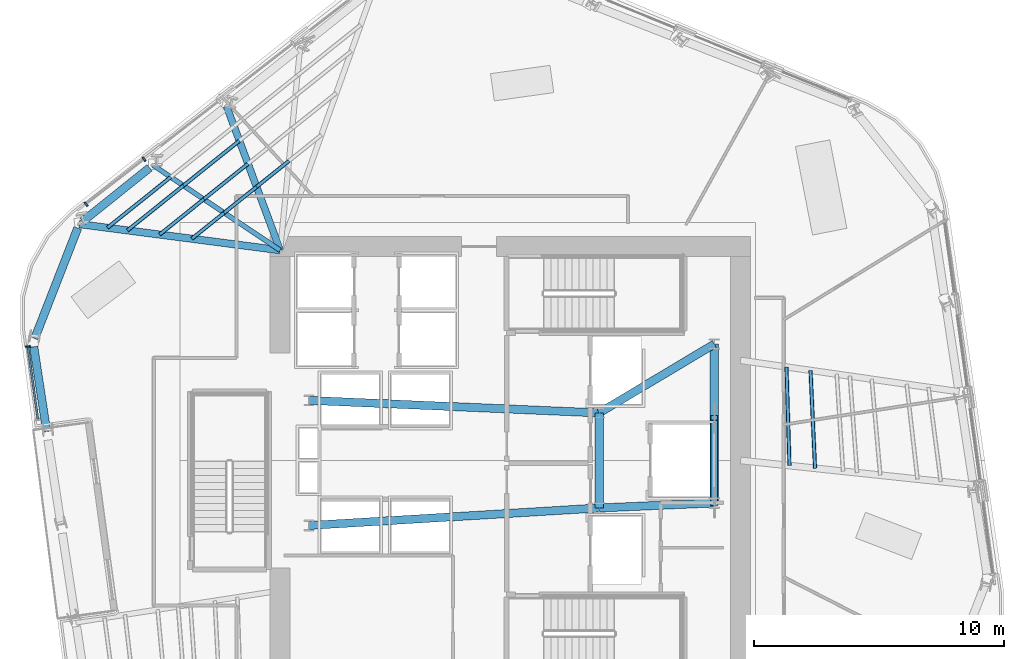
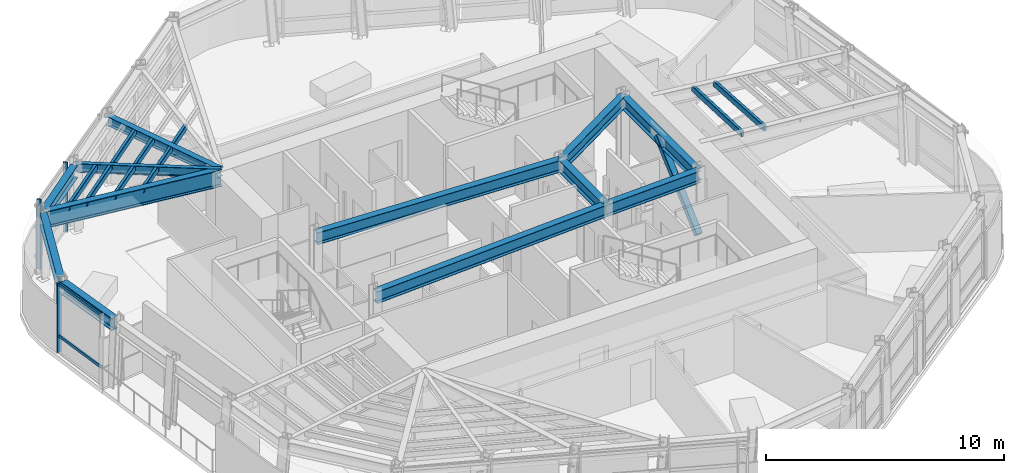
# One storey, part 4 of 15: 16 members, 12 beams, 2 elements without a shape of their own.
"""IFC4 building model written with IfcOpenShell, lengths in metres."""

from ifc_helpers import new_model, si_unit, direction, frame, origin, origin_2d, place, context, subcontext, project, spatial, rectangle, hollow_rectangle, i_section, extrude, material, layer, layer_set, material_profile, profile_set, type_object, element, aggregate, save


model = new_model("IFC4")

# Units and contexts
model_context = context("Model", 3, precision=1e-05, world=origin(), true_north=direction((0.0, 1.0)))
body_context = subcontext(model_context, "Body", "Model", "MODEL_VIEW")
ifc_project = project(units=[si_unit("LENGTHUNIT", "METRE"), si_unit("AREAUNIT", "SQUARE_METRE"), si_unit("VOLUMEUNIT", "CUBIC_METRE"), si_unit("PLANEANGLEUNIT", "RADIAN"), si_unit("MASSUNIT", "GRAM", prefix="KILO")], contexts=[model_context])

# Site, building, storey
site_placement = place(None, origin())
site = spatial("IfcSite", under=ifc_project, at=site_placement, CompositionType="ELEMENT")
building_placement = place(site_placement, origin())
building = spatial("IfcBuilding", under=site, at=building_placement, Name="Valkerne Bourse Tower", CompositionType="ELEMENT")
storey_placement = place(building_placement, frame((0.0, 0.0, 185.60009765625)))
storey = spatial("IfcBuildingStorey", under=building, at=storey_placement, Name="L47", CompositionType="ELEMENT", Elevation=185.60009765625)

# Beams
ifc_material_1 = material(Name="Steel ASTM A992", Category="steel")
ifc_material_profile_1 = material_profile(ifc_material_1, i_section(OverallWidth=0.1904296875, OverallDepth=0.457275390625, WebThickness=0.009033203125, FlangeThickness=0.014404296875, FilletRadius=0.01513671875, at=origin_2d()), Name="W18X50")
ifc_profile_set_1 = profile_set([ifc_material_profile_1], Name="Steel ASTM A992")
beam_type_1 = type_object("IfcBeamType", Name="BM-W18X50", PredefinedType="JOIST", material=ifc_profile_set_1)
beam_1_placement = place(storey_placement, frame((32.51318359375, 38.8017578125, 3.351318359375), z_axis=(0.831251534202, -0.555896471375, 0.0), x_axis=(0.555896471375, 0.831251534202, 0.0)))
element("IfcBeam", 1, at=beam_1_placement, inside=storey, type_object=beam_type_1, Name="L47 Radial Composite Floor Beam 08", PredefinedType="JOIST", context=body_context, shape_type="SweptSolid", body=[
    extrude(i_section(OverallWidth=0.1904296875, OverallDepth=0.457275390625, WebThickness=0.009033203125, FlangeThickness=0.014404296875, FilletRadius=0.01513671875, at=origin_2d()), origin(), (0.0, 0.0, 1.0), 6.11962890625),
])
ifc_material_profile_2 = material_profile(ifc_material_1, i_section(OverallWidth=0.279296875, OverallDepth=0.46240234375, WebThickness=0.0107421875, FlangeThickness=0.017333984375, FilletRadius=0.017822265625, at=origin_2d()), Name="W18X76")
ifc_profile_set_2 = profile_set([ifc_material_profile_2], Name="Steel ASTM A992")
beam_type_2 = type_object("IfcBeamType", Name="BM-W18X76", PredefinedType="BEAM", material=ifc_profile_set_2)
beam_2_placement = place(storey_placement, frame((35.4560546875, 41.159423828125, 3.3486328125), z_axis=(0.348871663273, -0.9371705088, 0.0), x_axis=(0.9371705088, 0.348871663273, 0.0)))
element("IfcBeam", 2, at=beam_2_placement, inside=storey, type_object=beam_type_2, Name="L47 Radial Composite Floor Beam 07", PredefinedType="BEAM", context=body_context, shape_type="SweptSolid", body=[
    extrude(i_section(OverallWidth=0.279296875, OverallDepth=0.46240234375, WebThickness=0.0107421875, FlangeThickness=0.017333984375, FilletRadius=0.017822265625, at=origin_2d()), origin(), (0.0, 0.0, 1.0), 6.145751953125),
])
ifc_material_profile_3 = material_profile(ifc_material_1, i_section(OverallWidth=0.3251953125, OverallDepth=0.612060546875, WebThickness=0.0126953125, FlangeThickness=0.01904296875, FilletRadius=0.020263671875, at=origin_2d()), Name="W24X104")
ifc_profile_set_3 = profile_set([ifc_material_profile_3], Name="Steel ASTM A992")
beam_type_3 = type_object("IfcBeamType", Name="BM-W24X104", PredefinedType="BEAM", material=ifc_profile_set_3)
beam_3_placement = place(storey_placement, frame((50.35009765625, 25.10009765625, 3.27392578125), z_axis=(0.0, 1.0, 0.0), x_axis=(-1.0, 0.0, 0.0)))
element("IfcBeam", 3, at=beam_3_placement, inside=storey, type_object=beam_type_3, Name="L47 Core Frame Girder CG-CE", PredefinedType="BEAM", context=body_context, shape_type="SweptSolid", body=[
    extrude(i_section(OverallWidth=0.3251953125, OverallDepth=0.612060546875, WebThickness=0.0126953125, FlangeThickness=0.01904296875, FilletRadius=0.020263671875, at=origin_2d()), origin(), (0.0, 0.0, 1.0), 3.7998046875),
])
beam_4_placement = place(storey_placement, frame((50.35009765625, 25.10009765625, 3.27392578125), z_axis=(0.999056558506, 0.043428019819, 0.0), x_axis=(-0.043428019819, 0.999056558506, 0.0)))
element("IfcBeam", 4, at=beam_4_placement, inside=storey, type_object=beam_type_3, Name="L47 Core Frame Girder CG-SE", PredefinedType="BEAM", context=body_context, shape_type="SweptSolid", body=[
    extrude(i_section(OverallWidth=0.3251953125, OverallDepth=0.612060546875, WebThickness=0.0126953125, FlangeThickness=0.01904296875, FilletRadius=0.020263671875, at=origin_2d()), origin(), (0.0, 0.0, 1.0), 4.604248046875),
])
beam_5_placement = place(storey_placement, frame((50.35009765625, 28.89990234375, 3.27392578125), z_axis=(0.858307823492, 0.513135148019, 0.0), x_axis=(-0.513135148019, 0.858307823492, 0.0)))
element("IfcBeam", 5, at=beam_5_placement, inside=storey, type_object=beam_type_3, Name="L47 Core Frame Girder CG-NE", PredefinedType="BEAM", context=body_context, shape_type="SweptSolid", body=[
    extrude(i_section(OverallWidth=0.3251953125, OverallDepth=0.612060546875, WebThickness=0.0126953125, FlangeThickness=0.01904296875, FilletRadius=0.020263671875, at=origin_2d()), origin(), (0.0, 0.0, 1.0), 5.359130859375),
])
beam_6_placement = place(storey_placement, frame((54.949951171875, 25.300048828125, 3.27392578125), z_axis=(0.0, 1.0, 0.0), x_axis=(-1.0, 0.0, 0.0)))
element("IfcBeam", 6, at=beam_6_placement, inside=storey, type_object=beam_type_3, Name="L47 Core Frame Girder CG-EE", PredefinedType="BEAM", context=body_context, shape_type="SweptSolid", body=[
    extrude(i_section(OverallWidth=0.3251953125, OverallDepth=0.612060546875, WebThickness=0.0126953125, FlangeThickness=0.01904296875, FilletRadius=0.020263671875, at=origin_2d()), origin(), (0.0, 0.0, 1.0), 6.349853515625),
])
beam_7_placement = place(storey_placement, frame((38.75, 24.39990234375, 3.27392578125), z_axis=(0.998183228389, 0.060251494276, 0.0), x_axis=(-0.060251494276, 0.998183228389, 0.0)))
element("IfcBeam", 7, at=beam_7_placement, inside=storey, type_object=beam_type_3, Name="L47 Core Frame Girder CG-SW", PredefinedType="BEAM", context=body_context, shape_type="SweptSolid", body=[
    extrude(i_section(OverallWidth=0.3251953125, OverallDepth=0.612060546875, WebThickness=0.0126953125, FlangeThickness=0.01904296875, FilletRadius=0.020263671875, at=origin_2d()), origin(), (0.0, 0.0, 1.0), 11.62109375),
])
beam_8_placement = place(storey_placement, frame((38.75, 29.39990234375, 3.27392578125), z_axis=(0.999072354402, -0.043063101019, 0.0), x_axis=(0.043063101019, 0.999072354402, 0.0)))
element("IfcBeam", 8, at=beam_8_placement, inside=storey, type_object=beam_type_3, Name="L47 Core Frame Girder CG-NW", PredefinedType="BEAM", context=body_context, shape_type="SweptSolid", body=[
    extrude(i_section(OverallWidth=0.3251953125, OverallDepth=0.612060546875, WebThickness=0.0126953125, FlangeThickness=0.01904296875, FilletRadius=0.020263671875, at=origin_2d()), origin(), (0.0, 0.0, 1.0), 11.61083984375),
])
ifc_material_profile_4 = material_profile(ifc_material_1, i_section(OverallWidth=0.32763671875, OverallDepth=0.62744140625, WebThickness=0.0166015625, FlangeThickness=0.027587890625, FilletRadius=0.020263671875, at=origin_2d()), Name="W24X146")
ifc_profile_set_4 = profile_set([ifc_material_profile_4], Name="Steel ASTM A992")
beam_type_4 = type_object("IfcBeamType", Name="BM-W24X146", PredefinedType="SPANDREL", material=ifc_profile_set_4)
beam_9_placement = place(storey_placement, frame((32.38037109375, 38.6953125, 3.26611328125), z_axis=(-0.780438178257, -0.625232956521, 0.0), x_axis=(0.625232956521, -0.780438178257, 0.0)))
element("IfcBeam", 9, at=beam_9_placement, inside=storey, type_object=beam_type_4, Name="L47 Hexagonal Spandrel Ring Beam 08", PredefinedType="SPANDREL", context=body_context, shape_type="SweptSolid", body=[
    extrude(i_section(OverallWidth=0.32763671875, OverallDepth=0.62744140625, WebThickness=0.0166015625, FlangeThickness=0.027587890625, FilletRadius=0.020263671875, at=origin_2d()), origin(), (0.0, 0.0, 1.0), 3.4306640625),
])
beam_10_placement = place(storey_placement, frame((29.50830078125, 36.285400390625, 3.26611328125), z_axis=(-0.363241549817, -0.931695001857, 0.0), x_axis=(0.931695001857, -0.363241549817, 0.0)))
element("IfcBeam", 10, at=beam_10_placement, inside=storey, type_object=beam_type_4, Name="L47 Hexagonal Spandrel Ring Beam 09", PredefinedType="SPANDREL", context=body_context, shape_type="SweptSolid", body=[
    extrude(i_section(OverallWidth=0.32763671875, OverallDepth=0.62744140625, WebThickness=0.0166015625, FlangeThickness=0.027587890625, FilletRadius=0.020263671875, at=origin_2d()), origin(), (0.0, 0.0, 1.0), 4.73974609375),
])
beam_11_placement = place(storey_placement, frame((27.75048828125, 31.54296875, 3.26611328125), z_axis=(0.151206955198, -0.988502127817, 0.0), x_axis=(0.988502127817, 0.151206955198, 0.0)))
element("IfcBeam", 11, at=beam_11_placement, inside=storey, type_object=beam_type_4, Name="L47 Hexagonal Spandrel Ring Beam 10", PredefinedType="SPANDREL", context=body_context, shape_type="SweptSolid", body=[
    extrude(i_section(OverallWidth=0.32763671875, OverallDepth=0.62744140625, WebThickness=0.0166015625, FlangeThickness=0.027587890625, FilletRadius=0.020263671875, at=origin_2d()), origin(), (0.0, 0.0, 1.0), 3.43115234375),
])
ifc_material_profile_5 = material_profile(ifc_material_1, i_section(OverallWidth=0.2919921875, OverallDepth=0.8583984375, WebThickness=0.01708984375, FlangeThickness=0.031005859375, FilletRadius=0.025390625, at=origin_2d()), Name="W33X169")
ifc_profile_set_5 = profile_set([ifc_material_profile_5], Name="Steel ASTM A992")
beam_type_5 = type_object("IfcBeamType", Name="BM-W33X169", PredefinedType="BEAM", material=ifc_profile_set_5)
beam_12_placement = place(storey_placement, frame((29.570068359375, 36.44384765625, 3.150634765625), z_axis=(0.991654962095, -0.128920270527, 0.0), x_axis=(0.128920270527, 0.991654962095, 0.0)))
element("IfcBeam", 12, at=beam_12_placement, inside=storey, type_object=beam_type_5, Name="L47 Radial Composite Floor Beam 09", PredefinedType="BEAM", context=body_context, shape_type="SweptSolid", body=[
    extrude(i_section(OverallWidth=0.2919921875, OverallDepth=0.8583984375, WebThickness=0.01708984375, FlangeThickness=0.031005859375, FilletRadius=0.025390625, at=origin_2d()), origin(), (0.0, 0.0, 1.0), 8.09765625),
])

# Curtain wall, members
ifc_material_2 = material(Name="Aluminium AA 6063-T6", Category="aluminium")
ifc_layer = layer(ifc_material_2, 0.235107421875)
ifc_layer_set = layer_set([ifc_layer], Name="Aluminium AA 6063-T6")
curtain_wall_type = type_object("IfcCurtainWallType", Name="CW-03", PredefinedType="NOTDEFINED", material=ifc_layer_set)
curtain_wall_1_placement = place(storey_placement, origin())
curtain_wall_1 = element("IfcCurtainWall", 13, at=curtain_wall_1_placement, inside=storey, type_object=curtain_wall_type, Name="L47 Hexagonal Stick Curtain Wall Face 2", PredefinedType="NOTDEFINED")
ifc_material_profile_6 = material_profile(ifc_material_2, rectangle(XDim=0.074951171875, YDim=0.199951171875, at=origin_2d()), Name="CWM-75X200")
ifc_profile_set_6 = profile_set([ifc_material_profile_6], Name="Aluminium AA 6063-T6")
member_type_1 = type_object("IfcMemberType", Name="CW-MUL-220X75", PredefinedType="MULLION", material=ifc_profile_set_6)
member_1_placement = place(storey_placement, frame((32.159912109375, 39.035888671875, 0.0), z_axis=(0.0, 0.0, 1.0), x_axis=(-0.790154015691, -0.612908338569, 0.0)))
member_1 = element("IfcMember", 14, at=member_1_placement, type_object=member_type_1, Name="CW-L47-F2 Jamb Mullion 03A", PredefinedType="MULLION", context=body_context, shape_type="SweptSolid", body=[
    extrude(rectangle(XDim=0.074951171875, YDim=0.199951171875, at=origin_2d()), origin(), (0.0, 0.0, 1.0), 3.579833984375),
])
member_2_placement = place(storey_placement, frame((29.843994140625, 37.239501953125, 0.0), z_axis=(0.0, 0.0, 1.0), x_axis=(-0.790154015691, -0.612908338569, 0.0)))
member_2 = element("IfcMember", 15, at=member_2_placement, type_object=member_type_1, Name="CW-L47-F2 Jamb Mullion 03B", PredefinedType="MULLION", context=body_context, shape_type="SweptSolid", body=[
    extrude(rectangle(XDim=0.074951171875, YDim=0.199951171875, at=origin_2d()), origin(), (0.0, 0.0, 1.0), 3.579833984375),
])
aggregate(curtain_wall_1, [member_1, member_2])

curtain_wall_2_placement = place(storey_placement, origin())
curtain_wall_2 = element("IfcCurtainWall", 16, at=curtain_wall_2_placement, inside=storey, type_object=curtain_wall_type, Name="L47 Hexagonal Stick Curtain Wall Face 3", PredefinedType="NOTDEFINED")
member_3_placement = place(storey_placement, frame((27.521240234375, 31.547607421875, 0.0), z_axis=(0.0, 0.0, 1.0), x_axis=(0.135694217689, -0.990750765473, 0.0)))
member_3 = element("IfcMember", 17, at=member_3_placement, type_object=member_type_1, Name="CW-L47-F3 Jamb Mullion 00A", PredefinedType="MULLION", context=body_context, shape_type="SweptSolid", body=[
    extrude(rectangle(XDim=0.074951171875, YDim=0.199951171875, at=origin_2d()), origin(), (0.0, 0.0, 1.0), 3.579833984375),
])
ifc_material_profile_7 = material_profile(ifc_material_2, rectangle(XDim=0.074951171875, YDim=0.14990234375, at=origin_2d()), Name="CWT-75X150")
ifc_profile_set_7 = profile_set([ifc_material_profile_7], Name="Aluminium AA 6063-T6")
member_type_2 = type_object("IfcMemberType", Name="CW-TRN-180X65", PredefinedType="USERDEFINED", material=ifc_profile_set_7)
member_4_placement = place(storey_placement, frame((27.521240234375, 31.547607421875, 0.849853515625), z_axis=(0.135693059967, -0.990750924035, 0.0), x_axis=(0.990750924035, 0.135693059967, 0.0)))
member_4 = element("IfcMember", 18, at=member_4_placement, type_object=member_type_2, Name="CW-L47-F3 Bay Transom 00-1", ObjectType="TRANSOM", PredefinedType="USERDEFINED", context=body_context, shape_type="SweptSolid", body=[
    extrude(rectangle(XDim=0.074951171875, YDim=0.14990234375, at=origin_2d()), origin(), (0.0, 0.0, 1.0), 2.930908203125),
])
member_5_placement = place(storey_placement, frame((27.521240234375, 31.547607421875, 3.5), z_axis=(0.135693059967, -0.990750924035, 0.0), x_axis=(0.990750924035, 0.135693059967, 0.0)))
member_5 = element("IfcMember", 19, at=member_5_placement, type_object=member_type_2, Name="CW-L47-F3 Bay Transom 00-2", ObjectType="TRANSOM", PredefinedType="USERDEFINED", context=body_context, shape_type="SweptSolid", body=[
    extrude(rectangle(XDim=0.074951171875, YDim=0.14990234375, at=origin_2d()), origin(), (0.0, 0.0, 1.0), 2.930908203125),
])
aggregate(curtain_wall_2, [member_3, member_4, member_5])

# Members
ifc_material_3 = material(Name="Steel ASTM A500 Grade C", Category="steel")
ifc_material_profile_8 = material_profile(ifc_material_3, hollow_rectangle(XDim=0.14990234375, YDim=0.300048828125, WallThickness=0.012451171875, OuterFilletRadius=0.02490234375, at=origin_2d()), Name="HSS300X150X12.5")
ifc_profile_set_8 = profile_set([ifc_material_profile_8], Name="Steel ASTM A500 Grade C")
member_type_3 = type_object("IfcMemberType", Name="MBR-HSS300X150X12.5", PredefinedType="PURLIN", material=ifc_profile_set_8)
member_6_placement = place(storey_placement, frame((58.9775390625, 26.685302734375, 3.419921875), z_axis=(-0.046620495403, 0.998912673565, 0.0), x_axis=(-0.998912673565, -0.046620495403, 0.0)))
element("IfcMember", 20, at=member_6_placement, inside=storey, type_object=member_type_3, Name="L47 Secondary Composite Floor Purlin I-26", PredefinedType="PURLIN", context=body_context, shape_type="SweptSolid", body=[
    extrude(hollow_rectangle(XDim=0.14990234375, YDim=0.300048828125, WallThickness=0.012451171875, OuterFilletRadius=0.02490234375, at=origin_2d()), origin(), (0.0, 0.0, 1.0), 3.9169921875),
])
member_7_placement = place(storey_placement, frame((37.95166015625, 38.9716796875, 3.419921875), z_axis=(-0.780380528284, -0.625304910484, 0.0), x_axis=(0.625304910484, -0.780380528284, 0.0)))
element("IfcMember", 21, at=member_7_placement, inside=storey, type_object=member_type_3, Name="L47 Secondary Composite Floor Purlin K-06", PredefinedType="PURLIN", context=body_context, shape_type="SweptSolid", body=[
    extrude(hollow_rectangle(XDim=0.14990234375, YDim=0.300048828125, WallThickness=0.012451171875, OuterFilletRadius=0.02490234375, at=origin_2d()), origin(), (0.0, 0.0, 1.0), 1.659423828125),
])
for number, where, z_axis, x_axis, name in (
    (22, (36.65673828125, 37.93408203125, 3.419921875), (-0.780452325897, -0.625215296519, 0.0), (0.625215296519, -0.780452325897, 0.0), "L47 Secondary Composite Floor Purlin K-07"),
    (23, (35.36181640625, 36.896728515625, 3.419921875), (-0.780452325897, -0.625215296519, 0.0), (0.625215296519, -0.780452325897, 0.0), "L47 Secondary Composite Floor Purlin K-08"),
):
    element("IfcMember", number, at=place(storey_placement, frame(where, z_axis=z_axis, x_axis=x_axis)), inside=storey, type_object=member_type_3, Name=name, PredefinedType="PURLIN", context=body_context, shape_type="SweptSolid", body=[
        extrude(hollow_rectangle(XDim=0.14990234375, YDim=0.300048828125, WallThickness=0.012451171875, OuterFilletRadius=0.02490234375, at=origin_2d()), origin(), (0.0, 0.0, 1.0), 1.6591796875),
    ])
for number, where, z_axis, x_axis, name in (
    (24, (35.970703125, 39.777099609375, 3.419921875), (-0.780478045857, -0.625183189101, 0.0), (0.625183189101, -0.780478045857, 0.0), "L47 Secondary Composite Floor Purlin O-07"),
    (25, (33.73388671875, 37.9853515625, 3.419921875), (-0.7804031778, -0.625276642839, 0.0), (0.625276642839, -0.7804031778, 0.0), "L47 Secondary Composite Floor Purlin O-08"),
):
    element("IfcMember", number, at=place(storey_placement, frame(where, z_axis=z_axis, x_axis=x_axis)), inside=storey, type_object=member_type_3, Name=name, PredefinedType="PURLIN", context=body_context, shape_type="SweptSolid", body=[
        extrude(hollow_rectangle(XDim=0.14990234375, YDim=0.300048828125, WallThickness=0.012451171875, OuterFilletRadius=0.02490234375, at=origin_2d()), origin(), (0.0, 0.0, 1.0), 2.865966796875),
    ])
for number, where, z_axis, x_axis, name in (
    (26, (36.313720703125, 38.855712890625, 3.419921875), (-0.780415965148, -0.625260682709, 0.0), (0.625260682709, -0.780415965148, 0.0), "L47 Secondary Composite Floor Purlin Z-07"),
    (27, (34.5478515625, 37.44091796875, 3.419921875), (-0.780468615517, -0.625194961746, 0.0), (0.625194961746, -0.780468615517, 0.0), "L47 Secondary Composite Floor Purlin Z-08"),
):
    element("IfcMember", number, at=place(storey_placement, frame(where, z_axis=z_axis, x_axis=x_axis)), inside=storey, type_object=member_type_3, Name=name, PredefinedType="PURLIN", context=body_context, shape_type="SweptSolid", body=[
        extrude(hollow_rectangle(XDim=0.14990234375, YDim=0.300048828125, WallThickness=0.012451171875, OuterFilletRadius=0.02490234375, at=origin_2d()), origin(), (0.0, 0.0, 1.0), 2.2626953125),
    ])
member_8_placement = place(storey_placement, frame((57.9541015625, 26.79345703125, 3.419921875), z_axis=(-0.030388435847, 0.999538164838, 0.0), x_axis=(-0.999538164838, -0.030388435847, 0.0)))
element("IfcMember", 28, at=member_8_placement, inside=storey, type_object=member_type_3, Name="L47 Secondary Composite Floor Purlin S-26", PredefinedType="PURLIN", context=body_context, shape_type="SweptSolid", body=[
    extrude(hollow_rectangle(XDim=0.14990234375, YDim=0.300048828125, WallThickness=0.012451171875, OuterFilletRadius=0.02490234375, at=origin_2d()), origin(), (0.0, 0.0, 1.0), 3.944580078125),
])
member_9_placement = place(storey_placement, frame((33.225341796875, 38.325439453125, 3.419921875), z_axis=(-0.780449991927, -0.625218209989, 0.0), x_axis=(0.625218209989, -0.780449991927, 0.0)))
element("IfcMember", 29, at=member_9_placement, inside=storey, type_object=member_type_3, Name="L47 Secondary Composite Floor Purlin T-08", PredefinedType="PURLIN", context=body_context, shape_type="SweptSolid", body=[
    extrude(hollow_rectangle(XDim=0.14990234375, YDim=0.300048828125, WallThickness=0.012451171875, OuterFilletRadius=0.02490234375, at=origin_2d()), origin(), (0.0, 0.0, 1.0), 3.242919921875),
])
ifc_material_profile_9 = material_profile(ifc_material_3, hollow_rectangle(XDim=0.300048828125, YDim=0.300048828125, WallThickness=0.012451171875, OuterFilletRadius=0.02490234375, at=origin_2d()), Name="HSS300X300X12.5")
ifc_profile_set_9 = profile_set([ifc_material_profile_9], Name="Steel ASTM A500 Grade C")
member_type_4 = type_object("IfcMemberType", Name="MBR-HSS300X300X12.5", PredefinedType="STRUT", material=ifc_profile_set_9)
member_10_placement = place(storey_placement, frame((54.949951171875, 25.300048828125, 0.219970703125), z_axis=(0.0, 0.743941933778, 0.668244266094), x_axis=(-1.0, 0.0, 0.0)))
element("IfcMember", 30, at=member_10_placement, inside=storey, type_object=member_type_4, Name="L47 Core Service Pier Lateral Brace", PredefinedType="STRUT", context=body_context, shape_type="SweptSolid", body=[
    extrude(hollow_rectangle(XDim=0.300048828125, YDim=0.300048828125, WallThickness=0.012451171875, OuterFilletRadius=0.02490234375, at=origin_2d()), origin(), (0.0, 0.0, 1.0), 4.570068359375),
])

save(model, "model.ifc")
